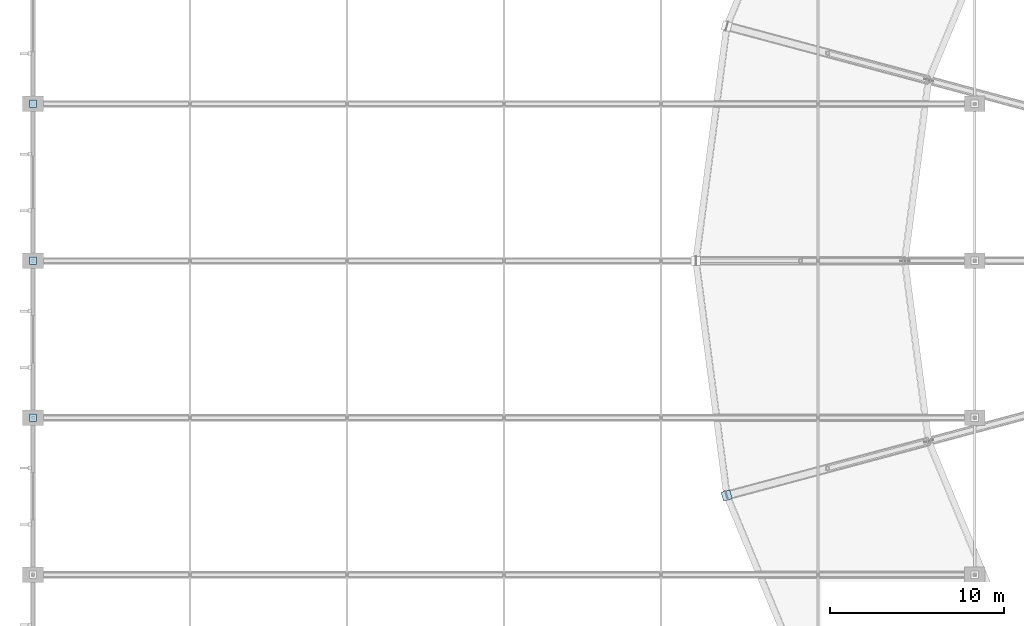
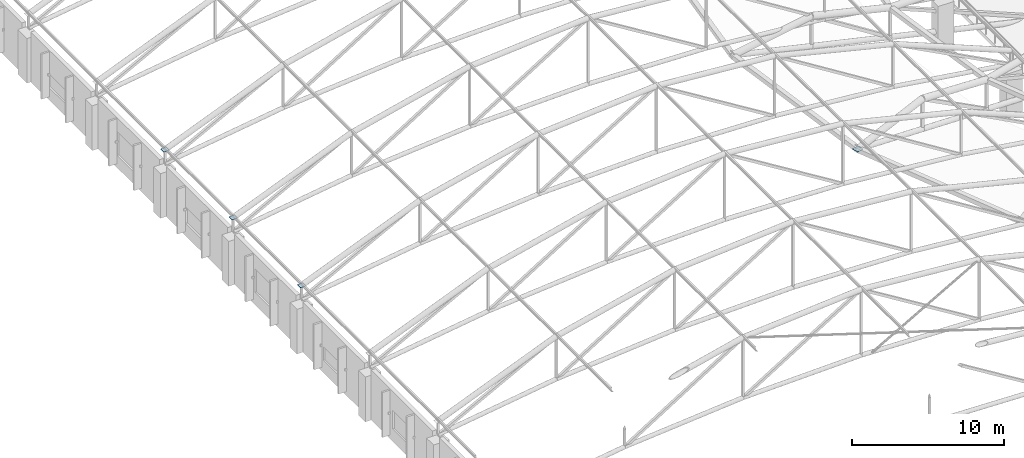
# One storey, part 128 of 167: 4 plates.
"""IFC4 building model written with IfcOpenShell, lengths in metres."""

import ifcopenshell
import ifcopenshell.guid

model = None  # the IFC model being written
_history = None  # IfcOwnerHistory: only IFC2X3 demands one
_inside = {}  # id of a spatial element -> (the spatial element, [elements in it])
_under = {}  # id of a project, library or spatial element -> (it, [spatial elements below it])
_declared = {}  # id of a project -> (the project, [libraries it declares])
_typed = {}  # id of a type object -> (the type object, [elements of that type])
_made_of = {}  # id of a material, layer set ... -> (it, [elements and type objects made of it])


def new_model(schema):
    """Start an empty IFC model of exactly this schema.

    Asked for "IFC4X3", IfcOpenShell would pick the latest addendum, in which some entities
    have other attributes; the version numbers below select the first issue.
    IFC2X3 requires an IfcOwnerHistory on every rooted entity: one is made here for all.
    """
    global model, _history
    if schema == "IFC4X3":
        model = ifcopenshell.file(schema_version=(4, 3, 0, 0))
    else:
        model = ifcopenshell.file(schema=schema)
    _inside.clear()
    _under.clear()
    _declared.clear()
    _typed.clear()
    _made_of.clear()
    _history = None
    if model.schema == "IFC2X3":
        org = make("IfcOrganization", Name="unknown")
        user = make(
            "IfcPersonAndOrganization",
            ThePerson=make("IfcPerson", FamilyName="unknown"),
            TheOrganization=org,
        )
        app = make(
            "IfcApplication",
            ApplicationDeveloper=org,
            Version="unknown",
            ApplicationFullName="unknown",
            ApplicationIdentifier="unknown",
        )
        _history = make(
            "IfcOwnerHistory",
            OwningUser=user,
            OwningApplication=app,
            ChangeAction="ADDED",
            CreationDate=0,
        )
    return model


def make(cls, **values):
    """One entity of the class cls with the attributes given. An attribute that is None is left unset."""
    return model.create_entity(
        cls, **{name: value for name, value in values.items() if value is not None}
    )


def rooted(cls, **values):
    """An entity with a GlobalId (a new one), such as an element, a storey or a relation."""
    return make(cls, GlobalId=ifcopenshell.guid.new(), OwnerHistory=_history, **values)


def si_unit(unit_type, name, prefix=None):
    """IfcSIUnit, for example si_unit("LENGTHUNIT", "METRE", prefix="MILLI")."""
    return make("IfcSIUnit", UnitType=unit_type, Prefix=prefix, Name=name)


def assignment(units):
    """IfcUnitAssignment: the units of a project."""
    return None if units is None else make("IfcUnitAssignment", Units=units)


def point(xyz):
    """IfcCartesianPoint."""
    return None if xyz is None else make("IfcCartesianPoint", Coordinates=xyz)


def direction(xyz):
    """IfcDirection."""
    return None if xyz is None else make("IfcDirection", DirectionRatios=xyz)


def frame(location, z_axis=None, x_axis=None):
    """IfcAxis2Placement3D, a coordinate frame: its origin and axes. An axis left out is left unset."""
    return make(
        "IfcAxis2Placement3D",
        Location=point(location),
        Axis=direction(z_axis),
        RefDirection=direction(x_axis),
    )


def frame_2d(location, x_axis=None):
    """IfcAxis2Placement2D, a coordinate frame in the plane: its origin and x axis."""
    return make(
        "IfcAxis2Placement2D", Location=point(location), RefDirection=direction(x_axis)
    )


def origin():
    """The frame at (0, 0, 0) with its axes left unset."""
    return frame((0.0, 0.0, 0.0))


def origin_2d():
    """The frame at (0, 0) in the plane with its x axis left unset."""
    return frame_2d((0.0, 0.0))


def place(relative_to, where):
    """IfcLocalPlacement: puts the frame where relative to a parent placement (None: the world)."""
    return make(
        "IfcLocalPlacement", PlacementRelTo=relative_to, RelativePlacement=where
    )


def context(
    kind, dimensions, precision=None, world=None, true_north=None, identifier=None
):
    """IfcGeometricRepresentationContext, for example the 3D "Model" context."""
    return make(
        "IfcGeometricRepresentationContext",
        ContextIdentifier=identifier,
        ContextType=kind,
        CoordinateSpaceDimension=dimensions,
        Precision=precision,
        WorldCoordinateSystem=world,
        TrueNorth=true_north,
    )


def subcontext(parent, identifier, kind, view, scale=None):
    """IfcGeometricRepresentationSubContext, for example "Body" below "Model"."""
    return make(
        "IfcGeometricRepresentationSubContext",
        ContextIdentifier=identifier,
        ContextType=kind,
        ParentContext=parent,
        TargetScale=scale,
        TargetView=view,
    )


def project(units=None, contexts=None):
    """IfcProject with its units and contexts."""
    return rooted(
        "IfcProject",
        Name="project",
        RepresentationContexts=contexts,
        UnitsInContext=assignment(units),
    )


def spatial(cls, under=None, at=None, **own):
    """A site, building, storey or space (cls), placed at a placement, below another one or the project."""
    s = rooted(cls, ObjectPlacement=at, **own)
    if under is not None:
        _under.setdefault(under.id(), (under, []))[1].append(s)
    return s


def profile(cls, at=None, kind="AREA", **sizes):
    """A parametric profile (cls). Its sizes go by their IFC names, for example OverallWidth=200.0."""
    return make(cls, ProfileType=kind, Position=at, **sizes)


def rectangle(**sizes):
    """IfcRectangleProfileDef."""
    return profile("IfcRectangleProfileDef", **sizes)


def extrude(swept, where, along, depth):
    """IfcExtrudedAreaSolid: the profile swept, set in the frame where, extruded along a direction by depth."""
    return make(
        "IfcExtrudedAreaSolid",
        SweptArea=swept,
        Position=where,
        ExtrudedDirection=direction(along),
        Depth=depth,
    )


def shape(context_of_items, identifier, shape_type, items):
    """IfcShapeRepresentation: the items that make up one representation, for example the "Body"."""
    return make(
        "IfcShapeRepresentation",
        ContextOfItems=context_of_items,
        RepresentationIdentifier=identifier,
        RepresentationType=shape_type,
        Items=items,
    )


def material(Name=None, Category=None):
    """IfcMaterial."""
    return make("IfcMaterial", Name=Name, Category=Category)


def layer(
    of_material, thickness, ventilated=None, Name=None, Category=None, Priority=None
):
    """IfcMaterialLayer: one layer of a wall or slab, of a material (None: an air gap)."""
    return make(
        "IfcMaterialLayer",
        Material=of_material,
        LayerThickness=thickness,
        IsVentilated=ventilated,
        Name=Name,
        Category=Category,
        Priority=Priority,
    )


def layer_set(layers, Name=None):
    """IfcMaterialLayerSet."""
    return make("IfcMaterialLayerSet", MaterialLayers=layers, LayerSetName=Name)


def made_of(thing, what):
    """Note that an element or type object is made of a material, layer set ...; save() writes the relation."""
    if what is not None:
        _made_of.setdefault(what.id(), (what, []))[1].append(thing)
    return thing


def type_object(cls, material=None, **own):
    """A type object (cls), such as IfcWallType, which elements share."""
    return made_of(rooted(cls, **own), material)


def element(
    cls,
    number,
    at=None,
    inside=None,
    cuts=None,
    type_object=None,
    material=None,
    context=None,
    identifier="Body",
    shape_type=None,
    held_by="IfcProductDefinitionShape",
    body=None,
    shapes=None,
    **own,
):
    """One element of the class cls, such as IfcWall. Its Tag is "e" and its number.

    at: its placement. inside: the storey or other place that contains it. cuts: it is an
    opening in that element (IfcRelVoidsElement). A single representation is given by context,
    identifier, shape_type and body (its items); several are given by shapes. held_by: the class
    of the entity that holds the representations. save() writes the other relations.
    """
    e = rooted(cls, Tag="e%d" % number, ObjectPlacement=at, **own)
    if body is not None:
        shapes = [shape(context, identifier, shape_type, body)]
    if shapes is not None:
        e.Representation = make(held_by, Representations=shapes)
    if inside is not None:
        _inside.setdefault(inside.id(), (inside, []))[1].append(e)
    if cuts is not None:
        rooted(
            "IfcRelVoidsElement", RelatingBuildingElement=cuts, RelatedOpeningElement=e
        )
    if type_object is not None:
        _typed.setdefault(type_object.id(), (type_object, []))[1].append(e)
    return made_of(e, material)


def aggregate(whole, parts):
    """IfcRelAggregates: a whole, such as a stair, and the parts it consists of."""
    return rooted("IfcRelAggregates", RelatingObject=whole, RelatedObjects=parts)


def save(model, path):
    """Write the relations noted so far, then the file.

    IfcRelAggregates (storeys below a building ...), IfcRelContainedInSpatialStructure (elements
    in a storey), IfcRelDefinesByType, IfcRelAssociatesMaterial and IfcRelDeclares: one each for
    every whole, place, type object, material and project.
    """
    for whole, parts in _under.values():
        aggregate(whole, parts)
    for where, things in _inside.values():
        rooted(
            "IfcRelContainedInSpatialStructure",
            RelatedElements=things,
            RelatingStructure=where,
        )
    for kind, things in _typed.values():
        rooted("IfcRelDefinesByType", RelatedObjects=things, RelatingType=kind)
    for what, things in _made_of.values():
        rooted("IfcRelAssociatesMaterial", RelatedObjects=things, RelatingMaterial=what)
    for by, libraries in _declared.values():
        rooted("IfcRelDeclares", RelatingContext=by, RelatedDefinitions=libraries)
    model.write(path)


model = new_model("IFC4")

# Units and contexts
model_context = context("Model", 3, precision=1e-05, world=origin(), true_north=direction((0.0, 1.0)))
body_context = subcontext(model_context, "Body", "Model", "MODEL_VIEW")
ifc_project = project(units=[si_unit("LENGTHUNIT", "METRE"), si_unit("AREAUNIT", "SQUARE_METRE"), si_unit("VOLUMEUNIT", "CUBIC_METRE"), si_unit("PLANEANGLEUNIT", "RADIAN"), si_unit("MASSUNIT", "GRAM", prefix="KILO")], contexts=[model_context])

# Site, building, storey
site_placement = place(None, origin())
site = spatial("IfcSite", under=ifc_project, at=site_placement, CompositionType="ELEMENT")
building_placement = place(site_placement, origin())
building = spatial("IfcBuilding", under=site, at=building_placement, Name="Dornveld Trade and Exhibition Forum", CompositionType="ELEMENT")
storey_placement = place(building_placement, frame((0.0, 0.0, 16.800048828125)))
storey = spatial("IfcBuildingStorey", under=building, at=storey_placement, Name="L03", CompositionType="ELEMENT", Elevation=16.800048828125)

# Plates
ifc_material_1 = material(Name="Steel S355J2", Category="steel")
ifc_layer_1 = layer(ifc_material_1, 0.01611328125)
ifc_layer_set_1 = layer_set([ifc_layer_1], Name="Steel S355J2")
plate_type_1 = type_object("IfcPlateType", Name="PL-CAP-420x16", PredefinedType="SHEET", material=ifc_layer_set_1)
for number, where, z_axis, x_axis, name in (
    (1, (27.0, 72.0, 5.0419921875), (0.0, 0.0, 1.0), (1.0, 0.0, 0.0), "H3 truss 5 hollow end cap 1"),
    (2, (27.0, 81.0, 5.0419921875), (0.0, 0.0, 1.0), (1.0, 0.0, 0.0), "H3 truss 6 hollow end cap 1"),
    (3, (27.0, 90.0, 5.0419921875), (0.0, 0.0, 1.0), (1.0, 0.0, 0.0), "H3 truss 7 hollow end cap 1"),
):
    element("IfcPlate", number, at=place(storey_placement, frame(where, z_axis=z_axis, x_axis=x_axis)), inside=storey, type_object=plate_type_1, Name=name, PredefinedType="SHEET", context=body_context, shape_type="SweptSolid", body=[
        extrude(rectangle(XDim=0.419921875, YDim=0.419921875, at=origin_2d()), origin(), (0.0, 0.0, 1.0), 0.01611328125),
    ])
ifc_material_2 = material(Name="Steel S355J2", Category="steel")
ifc_layer_2 = layer(ifc_material_2, 0.02001953125)
ifc_layer_set_2 = layer_set([ifc_layer_2], Name="Steel S355J2")
plate_type_2 = type_object("IfcPlateType", Name="PL-CAP-520x20", PredefinedType="SHEET", material=ifc_layer_set_2)
plate_placement = place(storey_placement, frame((66.77197265625, 67.54150390625, 4.7900390625), z_axis=(0.0, 0.0, 1.0), x_axis=(-0.965925826289, -0.258819045103, 0.0)))
element("IfcPlate", 4, at=plate_placement, inside=storey, type_object=plate_type_2, Name="Floating disc tip closure plate 14", PredefinedType="SHEET", context=body_context, shape_type="SweptSolid", body=[
    extrude(rectangle(XDim=0.52001953125, YDim=0.52001953125, at=origin_2d()), origin(), (0.0, 0.0, 1.0), 0.02001953125),
])

save(model, "model.ifc")
